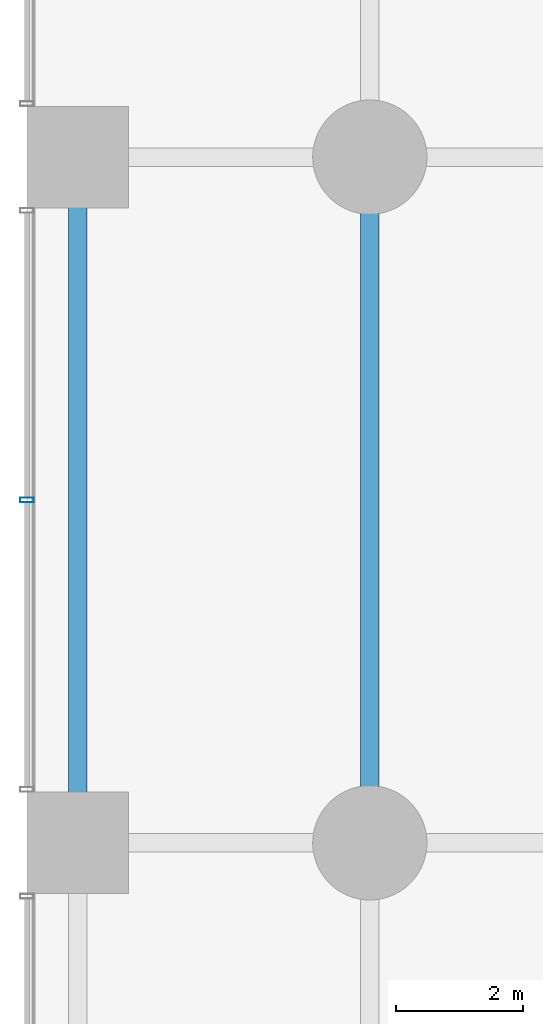
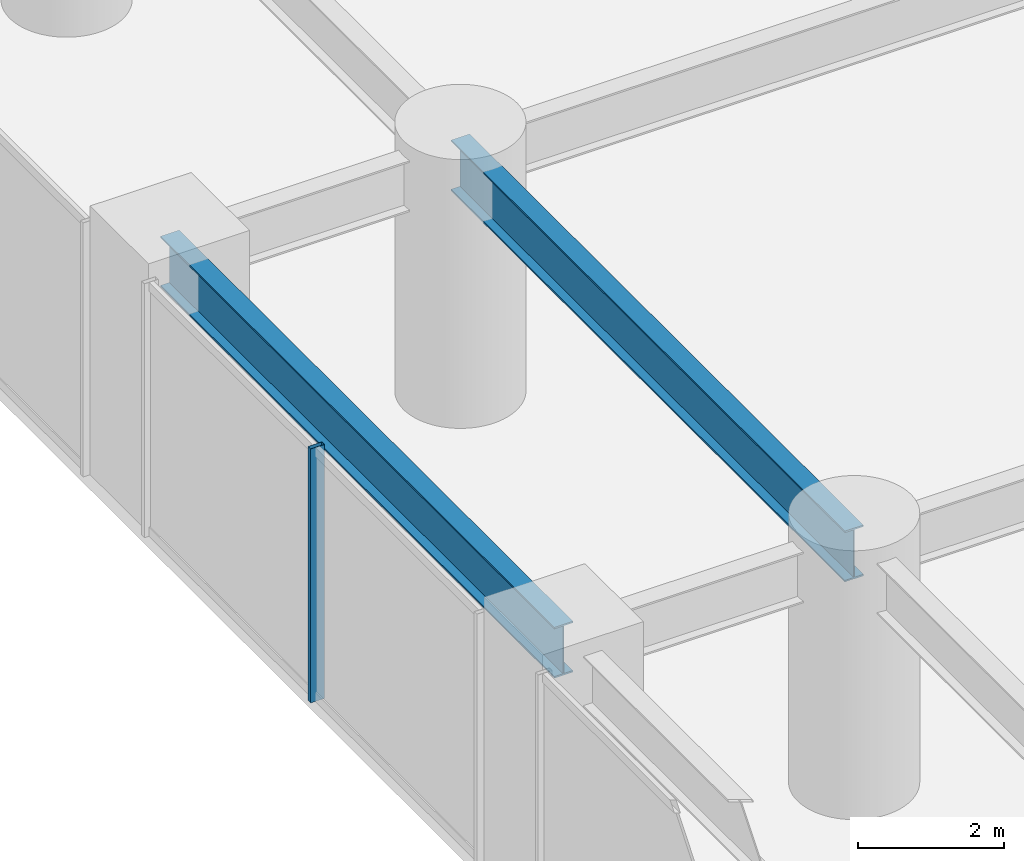
# One storey, part 7 of 36: 2 beams, 1 member, 1 element without a shape of its own.
"""IFC4 building model written with IfcOpenShell, lengths in metres."""

from ifc_helpers import new_model, si_unit, direction, frame, origin, origin_2d, place, context, subcontext, project, spatial, hollow_rectangle, i_section, extrude, material, layer, layer_set, material_profile, profile_set, type_object, element, aggregate, save


model = new_model("IFC4")

# Units and contexts
model_context = context("Model", 3, precision=1e-05, world=origin(), true_north=direction((0.0, 1.0)))
body_context = subcontext(model_context, "Body", "Model", "MODEL_VIEW")
ifc_project = project(units=[si_unit("LENGTHUNIT", "METRE"), si_unit("AREAUNIT", "SQUARE_METRE"), si_unit("VOLUMEUNIT", "CUBIC_METRE"), si_unit("PLANEANGLEUNIT", "RADIAN"), si_unit("MASSUNIT", "GRAM", prefix="KILO")], contexts=[model_context])

# Site, building, storey
site_placement = place(None, origin())
site = spatial("IfcSite", under=ifc_project, at=site_placement, CompositionType="ELEMENT")
building_placement = place(site_placement, origin())
building = spatial("IfcBuilding", under=site, at=building_placement, Name="Surkhivell Harbour Commons", CompositionType="ELEMENT")
storey_placement = place(building_placement, frame((0.0, 0.0, 9.0)))
storey = spatial("IfcBuildingStorey", under=building, at=storey_placement, Name="L02", CompositionType="ELEMENT", Elevation=9.0)

# Beams
ifc_material_1 = material(Name="Steel S460", Category="steel")
ifc_material_profile_1 = material_profile(ifc_material_1, i_section(OverallWidth=0.2939453125, OverallDepth=0.85107421875, WebThickness=0.01611328125, FlangeThickness=0.02685546875, at=origin_2d()), Name="UB838x292x226")
ifc_profile_set_1 = profile_set([ifc_material_profile_1], Name="Steel S460")
beam_type = type_object("IfcBeamType", Name="BM-SPN-838", PredefinedType="SPANDREL", material=ifc_profile_set_1)
for number, where, z_axis, x_axis, name in (
    (1, (-37.0, 0.0, 3.824462890625), (0.0, 1.0, 0.0), (-1.0, 0.0, 0.0), "L02 Framing Beam (-37.0,0.0)"),
    (2, (-32.39990234375, 0.0, 3.824462890625), (0.0, 1.0, 0.0), (-1.0, 0.0, 0.0), "L02 Framing Beam (-32.4,0.0)"),
):
    element("IfcBeam", number, at=place(storey_placement, frame(where, z_axis=z_axis, x_axis=x_axis)), inside=storey, type_object=beam_type, Name=name, PredefinedType="SPANDREL", context=body_context, shape_type="SweptSolid", body=[
        extrude(i_section(OverallWidth=0.2939453125, OverallDepth=0.85107421875, WebThickness=0.01611328125, FlangeThickness=0.02685546875, at=origin_2d()), origin(), (0.0, 0.0, 1.0), 10.800048828125),
    ])

# Curtain wall, member
ifc_material_2 = material(Name="Anodised pale-metal aluminium and insulated glazing", Category="aluminium")
ifc_layer = layer(ifc_material_2, 0.239990234375)
ifc_layer_set = layer_set([ifc_layer], Name="Anodised pale-metal aluminium and insulated glazing")
curtain_wall_type = type_object("IfcCurtainWallType", Name="CW-SYS-POD", PredefinedType="NOTDEFINED", material=ifc_layer_set)
curtain_wall_placement = place(storey_placement, origin())
curtain_wall = element("IfcCurtainWall", 3, at=curtain_wall_placement, inside=storey, type_object=curtain_wall_type, Name="L02 Curtain Wall CW-L02-W4", PredefinedType="NOTDEFINED")
ifc_material_3 = material(Name="Anodised pale-metal aluminium alloy 6063-T6", Category="aluminium")
ifc_material_profile_2 = material_profile(ifc_material_3, hollow_rectangle(XDim=0.074951171875, YDim=0.219970703125, WallThickness=0.00390625, at=origin_2d()), Name="ALU-MULL-75x220")
ifc_profile_set_2 = profile_set([ifc_material_profile_2], Name="Anodised pale-metal aluminium alloy 6063-T6")
member_type = type_object("IfcMemberType", Name="CWM-220", PredefinedType="MULLION", material=ifc_profile_set_2)
member_placement = place(storey_placement, frame((-37.800048828125, 5.39990234375, 0.0), z_axis=(0.0, 0.0, 1.0), x_axis=(0.0, 1.0, 0.0)))
member = element("IfcMember", 4, at=member_placement, type_object=member_type, Name="CW-POD mullion 2", PredefinedType="MULLION", context=body_context, shape_type="SweptSolid", body=[
    extrude(hollow_rectangle(XDim=0.074951171875, YDim=0.219970703125, WallThickness=0.00390625, at=origin_2d()), origin(), (0.0, 0.0, 1.0), 4.25),
])
aggregate(curtain_wall, [member])

save(model, "model.ifc")
